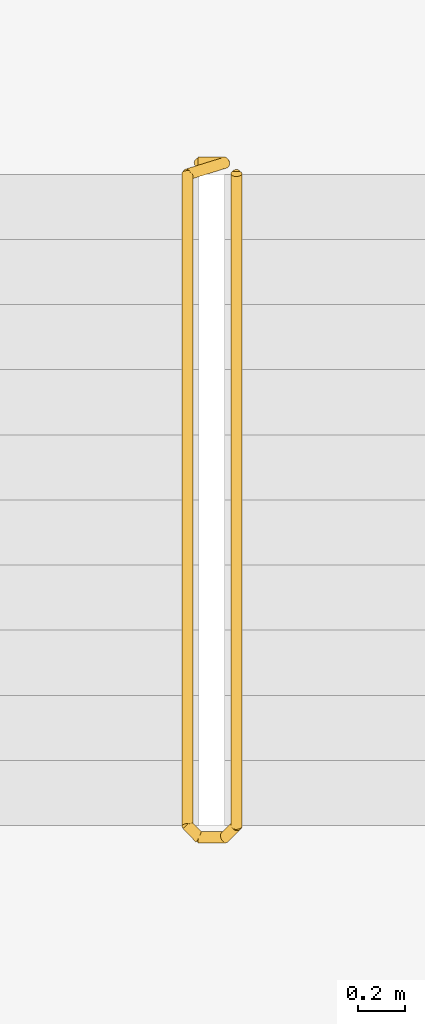
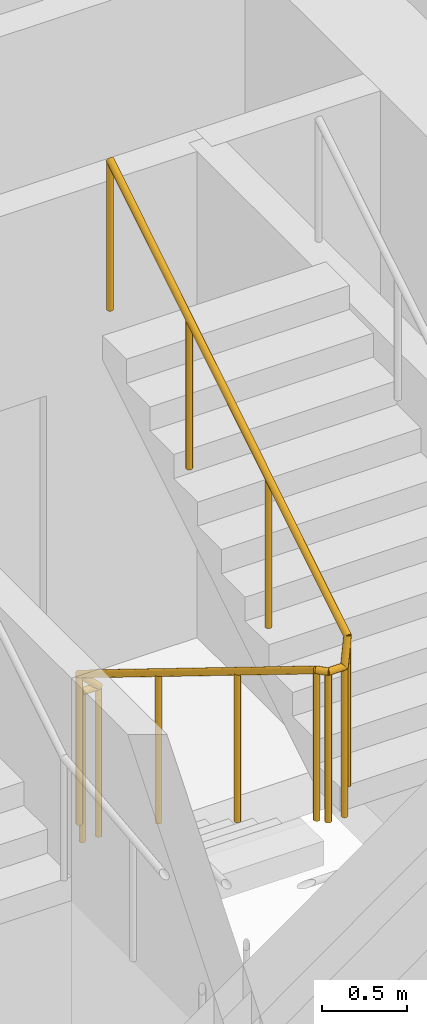
# One storey, part 23 of 23: 1 railing.
"""IFC4 building model written with IfcOpenShell, lengths in metres."""

from ifc_helpers import new_model, si_unit, direction, frame, origin, origin_2d, place, context, subcontext, project, spatial, circle, extrude, material, type_object, element, save


model = new_model("IFC4")

# Units and contexts
model_context = context("Model", 3, precision=1e-05, world=origin(), true_north=direction((0.0, 1.0)))
body_context = subcontext(model_context, "Body", "Model", "MODEL_VIEW")
ifc_project = project(units=[si_unit("LENGTHUNIT", "METRE"), si_unit("AREAUNIT", "SQUARE_METRE"), si_unit("VOLUMEUNIT", "CUBIC_METRE"), si_unit("PLANEANGLEUNIT", "RADIAN"), si_unit("MASSUNIT", "GRAM", prefix="KILO")], contexts=[model_context])

# Site, building, storey
site_placement = place(None, origin())
site = spatial("IfcSite", under=ifc_project, at=site_placement, CompositionType="ELEMENT")
building_placement = place(site_placement, origin())
building = spatial("IfcBuilding", under=site, at=building_placement, Name="Tessera Arch", CompositionType="ELEMENT")
storey_placement = place(building_placement, frame((0.0, 0.0, 57.60009765625)))
storey = spatial("IfcBuildingStorey", under=building, at=storey_placement, Name="L12", CompositionType="ELEMENT", Elevation=57.60009765625)

# Railing
ifc_material = material(Name="Painted steel balustrade", Category="steel")
railing_type = type_object("IfcRailingType", Name="Stair guard 1100", PredefinedType="GUARDRAIL", material=ifc_material)
railing_placement = place(storey_placement, frame((44.919921875, 43.6298828125, 0.0)))
element("IfcRailing", 1, at=railing_placement, inside=storey, type_object=railing_type, Name="L12 S1c stair guard 1", PredefinedType="GUARDRAIL", context=body_context, shape_type="SweptSolid", body=[
    extrude(circle(Radius=0.02392578125, at=origin_2d()), frame((-0.00390625, 0.0, 1.076171875), z_axis=(1.0, 0.0, 0.0), x_axis=(0.0, 1.0, 0.0)), (0.0, 0.0, 1.0), 0.1181640625),
    extrude(circle(Radius=0.02392578125, at=origin_2d()), frame((0.11279296875, 0.000732421875, 1.0732421875), z_axis=(-0.664883824791, -0.207078321004, 0.717668494851), x_axis=(0.297361876254, -0.954764847777, 0.0)), (0.0, 0.0, 1.0), 0.24853515625),
    extrude(circle(Radius=0.02392578125, at=origin_2d()), frame((-0.0498046875, -0.04638671875, 1.24658203125), z_axis=(0.0, -0.851089632645, 0.525020415988), x_axis=(1.0, 0.0, 0.0)), (0.0, 0.0, 1.0), 3.2978515625),
    extrude(circle(Radius=0.02392578125, at=origin_2d()), frame((-0.052734375, -2.846923828125, 2.97607421875), z_axis=(0.705375805398, -0.708833529934, 0.0), x_axis=(0.708833529934, 0.705375805398, 0.0)), (0.0, 0.0, 1.0), 0.07861328125),
    extrude(circle(Radius=0.02392578125, at=origin_2d()), frame((-0.00390625, -2.89990234375, 2.97607421875), z_axis=(1.0, 0.0, 0.0), x_axis=(0.0, 1.0, 0.0)), (0.0, 0.0, 1.0), 0.1181640625),
    extrude(circle(Radius=0.02392578125, at=origin_2d()), frame((0.109130859375, -2.90087890625, 2.97216796875), z_axis=(0.268277960024, 0.268277960024, 0.925231793839), x_axis=(-0.707106781187, 0.707106781187, 0.0)), (0.0, 0.0, 1.0), 0.194580078125),
    extrude(circle(Radius=0.02392578125, at=origin_2d()), frame((0.16015625, -2.853271484375, 3.146484375), z_axis=(0.0, 0.851089632645, 0.525020415988), x_axis=(-1.0, 0.0, 0.0)), (0.0, 0.0, 1.0), 3.2978515625),
    extrude(circle(Radius=0.02099609375, at=origin_2d()), origin(), (0.0, 0.0, 1.0), 1.06396484375),
    extrude(circle(Radius=0.02099609375, at=origin_2d()), frame((0.110107421875, 0.0, 0.0)), (0.0, 0.0, 1.0), 1.06396484375),
    extrude(circle(Radius=0.02099609375, at=origin_2d()), frame((-0.0498046875, -0.0498046875, 0.172607421875)), (0.0, 0.0, 1.0), 1.06396484375),
    extrude(circle(Radius=0.02099609375, at=origin_2d()), frame((-0.0498046875, -0.983154296875, 0.748291015625)), (0.0, 0.0, 1.0), 1.06396484375),
    extrude(circle(Radius=0.02099609375, at=origin_2d()), frame((-0.0498046875, -1.91650390625, 1.32421875)), (0.0, 0.0, 1.0), 1.06396484375),
    extrude(circle(Radius=0.02099609375, at=origin_2d()), frame((-0.0498046875, -2.849853515625, 1.89990234375)), (0.0, 0.0, 1.0), 1.06396484375),
    extrude(circle(Radius=0.02099609375, at=origin_2d()), frame((0.0, -2.89990234375, 1.89990234375)), (0.0, 0.0, 1.0), 1.06396484375),
    extrude(circle(Radius=0.02099609375, at=origin_2d()), frame((0.110107421875, -2.89990234375, 1.89990234375)), (0.0, 0.0, 1.0), 1.06396484375),
    extrude(circle(Radius=0.02099609375, at=origin_2d()), frame((0.16015625, -2.849853515625, 2.072509765625)), (0.0, 0.0, 1.0), 1.06396484375),
    extrude(circle(Radius=0.02099609375, at=origin_2d()), frame((0.16015625, -1.91650390625, 2.648193359375)), (0.0, 0.0, 1.0), 1.06396484375),
    extrude(circle(Radius=0.02099609375, at=origin_2d()), frame((0.16015625, -0.983154296875, 3.22412109375)), (0.0, 0.0, 1.0), 1.06396484375),
    extrude(circle(Radius=0.02099609375, at=origin_2d()), frame((0.16015625, -0.0498046875, 3.7998046875)), (0.0, 0.0, 1.0), 1.06396484375),
])

save(model, "model.ifc")
